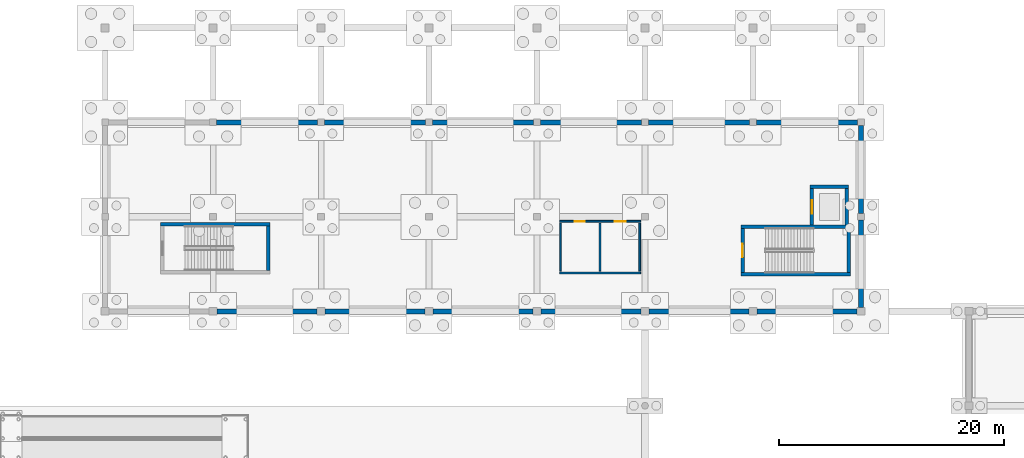
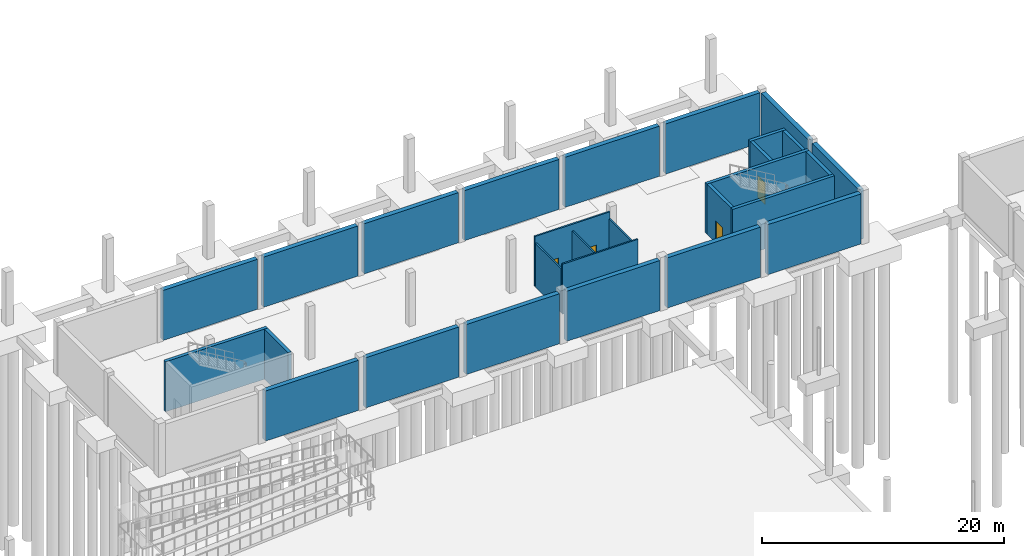
# One storey, part 26 of 41: 28 walls, 4 doors, 4 openings.
"""IFC4 building model written with IfcOpenShell, lengths in metres."""

from ifc_helpers import new_model, si_unit, direction, frame, frame_2d, origin, place, context, subcontext, project, spatial, rectangle, extrude, material, layer, layer_set, type_object, element, fill, save


model = new_model("IFC4")

# Units and contexts
model_context = context("Model", 3, precision=1e-05, world=origin(), true_north=direction((0.0, 1.0)))
body_context = subcontext(model_context, "Body", "Model", "MODEL_VIEW")
ifc_project = project(units=[si_unit("LENGTHUNIT", "METRE"), si_unit("AREAUNIT", "SQUARE_METRE"), si_unit("VOLUMEUNIT", "CUBIC_METRE"), si_unit("PLANEANGLEUNIT", "RADIAN"), si_unit("MASSUNIT", "GRAM", prefix="KILO")], contexts=[model_context])

# Site, building, storey
site_placement = place(None, origin())
site = spatial("IfcSite", under=ifc_project, at=site_placement, CompositionType="ELEMENT")
building_placement = place(site_placement, origin())
building = spatial("IfcBuilding", under=site, at=building_placement, Name="Shalvenor Court Art Gallery", CompositionType="ELEMENT")
storey_placement = place(building_placement, frame((0.0, 0.0, -5.39990234375)))
storey = spatial("IfcBuildingStorey", under=building, at=storey_placement, Name="B01", CompositionType="ELEMENT", Elevation=-5.39990234375)

# Walls
ifc_material_1 = material(Name="Concrete C40/50", Category="concrete")
ifc_layer_1 = layer(ifc_material_1, 0.31005859375, Name="Concrete C40/50")
ifc_layer_set_1 = layer_set([ifc_layer_1], Name="Concrete C40/50")
wall_type_1 = type_object("IfcWallType", Name="CW-W2", PredefinedType="SHEAR", material=ifc_layer_set_1)
wall_1_placement = place(storey_placement, frame((114.1279296875, 104.717041015625, 0.0), z_axis=(0.0, 0.0, 1.0), x_axis=(1.0, 0.0, 0.0)))
element("IfcWall", 1, at=wall_1_placement, inside=storey, type_object=wall_type_1, Name="B01 C5 Stair Core Shear Wall N", PredefinedType="SHEAR", context=body_context, shape_type="SweptSolid", body=[
    extrude(rectangle(XDim=9.744140625, YDim=0.31005859375, at=frame_2d((4.8720703125, 0.0))), origin(), (0.0, 0.0, 1.0), 5.059814453125),
])
wall_2_placement = place(storey_placement, frame((123.717041015625, 104.56201171875, 0.0), z_axis=(0.0, 0.0, 1.0), x_axis=(0.0, -1.0, 0.0)))
element("IfcWall", 2, at=wall_2_placement, inside=storey, type_object=wall_type_1, Name="B01 C5 Stair Core Shear Wall E", PredefinedType="SHEAR", context=body_context, shape_type="SweptSolid", body=[
    extrude(rectangle(XDim=3.924072265625, YDim=0.31005859375, at=frame_2d((1.9619140625, 0.0))), origin(), (0.0, 0.0, 1.0), 5.059814453125),
])
wall_3_placement = place(storey_placement, frame((123.8720703125, 100.48291015625, 0.0), z_axis=(0.0, 0.0, 1.0), x_axis=(-1.0, 0.0, 0.0)))
element("IfcWall", 3, at=wall_3_placement, inside=storey, type_object=wall_type_1, Name="B01 C5 Stair Core Shear Wall S", PredefinedType="SHEAR", context=body_context, shape_type="SweptSolid", body=[
    extrude(rectangle(XDim=9.744140625, YDim=0.31005859375, at=frame_2d((4.8720703125, 0.0))), origin(), (0.0, 0.0, 1.0), 5.059814453125),
])

# Wall, opening, door
wall_4_placement = place(storey_placement, frame((114.282958984375, 100.637939453125, 0.0), z_axis=(0.0, 0.0, 1.0), x_axis=(0.0, 1.0, 0.0)))
wall_4 = element("IfcWall", 4, at=wall_4_placement, inside=storey, type_object=wall_type_1, Name="B01 C5 Stair Core Shear Wall W", PredefinedType="SHEAR", context=body_context, shape_type="SweptSolid", body=[
    extrude(rectangle(XDim=3.924072265625, YDim=0.31005859375, at=frame_2d((1.9619140625, 0.0))), origin(), (0.0, 0.0, 1.0), 5.059814453125),
])
opening_1_placement = place(wall_4_placement, frame((1.362060546875, 0.0, 0.0)))
opening_1 = element("IfcOpeningElement", 5, at=opening_1_placement, cuts=wall_4, Name="Opening FD-01", PredefinedType="OPENING", context=body_context, shape_type="SweptSolid", body=[
    extrude(rectangle(XDim=1.199951171875, YDim=2.199951171875, at=frame_2d((0.60009765625, 1.10009765625))), frame((0.0, 0.1650390625, 0.0), z_axis=(0.0, -1.0, 0.0), x_axis=(1.0, 0.0, 0.0)), (0.0, 0.0, 1.0), 0.330078125),
])
ifc_material_2 = material(Name="Fire-rated steel stair doorset", Category="steel")
door_type_1 = type_object("IfcDoorType", Name="FD-01", OperationType="NOTDEFINED", PredefinedType="DOOR", material=ifc_material_2)
door_1_placement = place(opening_1_placement, origin())
door_1 = element("IfcDoor", 6, at=door_1_placement, inside=storey, type_object=door_type_1, Name="DR-ST-B01-C5 B01 ST-05 Fire Stair Door", OperationType="SINGLE_SWING_RIGHT", OverallHeight=2.199951171875, OverallWidth=1.199951171875, PredefinedType="DOOR", context=body_context, shape_type="SweptSolid", body=[
    extrude(rectangle(XDim=1.199951171875, YDim=2.199951171875, at=frame_2d((0.60009765625, 1.10009765625))), frame((0.0, 0.02490234375, 0.0), z_axis=(0.0, -1.0, 0.0), x_axis=(1.0, 0.0, 0.0)), (0.0, 0.0, 1.0), 0.050048828125),
])
fill(opening_1, door_1)

# Walls
wall_5_placement = place(storey_placement, frame((120.2900390625, 108.2548828125, 0.0), z_axis=(0.0, 0.0, 1.0), x_axis=(1.0, 0.0, 0.0)))
element("IfcWall", 7, at=wall_5_placement, inside=storey, type_object=wall_type_1, Name="B01 PL-03 Lift Shaft Wall N", PredefinedType="SHEAR", context=body_context, shape_type="SweptSolid", body=[
    extrude(rectangle(XDim=3.419921875, YDim=0.31005859375, at=frame_2d((1.7099609375, 0.0))), origin(), (0.0, 0.0, 1.0), 5.059814453125),
])
wall_6_placement = place(storey_placement, frame((123.554931640625, 108.10009765625, 0.0), z_axis=(0.0, 0.0, 1.0), x_axis=(0.0, -1.0, 0.0)))
element("IfcWall", 8, at=wall_6_placement, inside=storey, type_object=wall_type_1, Name="B01 PL-03 Lift Shaft Wall E", PredefinedType="SHEAR", context=body_context, shape_type="SweptSolid", body=[
    extrude(rectangle(XDim=3.22802734375, YDim=0.31005859375, at=frame_2d((1.614013671875, 0.0))), origin(), (0.0, 0.0, 1.0), 5.059814453125),
])

# Wall, opening, door
wall_7_placement = place(storey_placement, frame((120.445068359375, 104.8720703125, 0.0), z_axis=(0.0, 0.0, 1.0), x_axis=(0.0, 1.0, 0.0)))
wall_7 = element("IfcWall", 9, at=wall_7_placement, inside=storey, type_object=wall_type_1, Name="B01 PL-03 Lift Shaft Wall W", PredefinedType="SHEAR", context=body_context, shape_type="SweptSolid", body=[
    extrude(rectangle(XDim=3.22802734375, YDim=0.31005859375, at=frame_2d((1.614013671875, 0.0))), origin(), (0.0, 0.0, 1.0), 5.059814453125),
])
opening_2_placement = place(wall_7_placement, frame((1.013916015625, 0.0, 0.0)))
opening_2 = element("IfcOpeningElement", 10, at=opening_2_placement, cuts=wall_7, Name="Opening LD-02", PredefinedType="OPENING", context=body_context, shape_type="SweptSolid", body=[
    extrude(rectangle(XDim=1.199951171875, YDim=2.199951171875, at=frame_2d((0.60009765625, 1.10009765625))), frame((0.0, 0.1650390625, 0.0), z_axis=(0.0, -1.0, 0.0), x_axis=(1.0, 0.0, 0.0)), (0.0, 0.0, 1.0), 0.330078125),
])
ifc_material_3 = material(Name="Brushed stainless passenger lift sliding landing door", Category="steel")
door_type_2 = type_object("IfcDoorType", Name="LD-02", OperationType="NOTDEFINED", PredefinedType="DOOR", material=ifc_material_3)
door_2_placement = place(opening_2_placement, origin())
door_2 = element("IfcDoor", 11, at=door_2_placement, inside=storey, type_object=door_type_2, Name="DR-LD-B01-PL-03 B01 PL-03 Lift Landing Sliding Door", OperationType="DOUBLE_DOOR_SLIDING", OverallHeight=2.199951171875, OverallWidth=1.199951171875, PredefinedType="DOOR", context=body_context, shape_type="SweptSolid", body=[
    extrude(rectangle(XDim=1.199951171875, YDim=2.199951171875, at=frame_2d((0.60009765625, 1.10009765625))), frame((0.0, 0.02490234375, 0.0), z_axis=(0.0, -1.0, 0.0), x_axis=(1.0, 0.0, 0.0)), (0.0, 0.0, 1.0), 0.050048828125),
])
fill(opening_2, door_2)

# Walls
wall_8_placement = place(storey_placement, frame((62.528076171875, 104.9169921875, 0.0), z_axis=(0.0, 0.0, 1.0), x_axis=(1.0, 0.0, 0.0)))
element("IfcWall", 12, at=wall_8_placement, inside=storey, type_object=wall_type_1, Name="B01 C9 Stair Core Shear Wall N", PredefinedType="SHEAR", context=body_context, shape_type="SweptSolid", body=[
    extrude(rectangle(XDim=9.743896484375, YDim=0.31005859375, at=frame_2d((4.8720703125, 0.0))), origin(), (0.0, 0.0, 1.0), 5.059814453125),
])
wall_9_placement = place(storey_placement, frame((72.116943359375, 104.761962890625, 0.0), z_axis=(0.0, 0.0, 1.0), x_axis=(0.0, -1.0, 0.0)))
element("IfcWall", 13, at=wall_9_placement, inside=storey, type_object=wall_type_1, Name="B01 C9 Stair Core Shear Wall E", PredefinedType="SHEAR", context=body_context, shape_type="SweptSolid", body=[
    extrude(rectangle(XDim=3.924072265625, YDim=0.31005859375, at=frame_2d((1.9619140625, 0.0))), origin(), (0.0, 0.0, 1.0), 5.059814453125),
])

# Wall, openings, doors
ifc_material_4 = material(Name="Moisture-resistant sanitary partition", Category="other")
ifc_layer_2 = layer(ifc_material_4, 0.14990234375, Name="Moisture-resistant sanitary partition")
ifc_layer_set_2 = layer_set([ifc_layer_2], Name="Moisture-resistant sanitary partition")
wall_type_2 = type_object("IfcWallType", Name="PT-03", PredefinedType="PARTITIONING", material=ifc_layer_set_2)
wall_10_placement = place(storey_placement, frame((98.0, 105.199951171875, 0.0), z_axis=(0.0, 0.0, 1.0), x_axis=(1.0, 0.0, 0.0)))
wall_10 = element("IfcWall", 14, at=wall_10_placement, inside=storey, type_object=wall_type_2, Name="B01 C5 Restroom Front Partition", PredefinedType="PARTITIONING", context=body_context, shape_type="SweptSolid", body=[
    extrude(rectangle(XDim=7.199951171875, YDim=0.14990234375, at=frame_2d((3.60009765625, 0.0))), origin(), (0.0, 0.0, 1.0), 5.059814453125),
])
opening_3_placement = place(wall_10_placement, frame((1.35009765625, 0.0, 0.0)))
opening_3 = element("IfcOpeningElement", 15, at=opening_3_placement, cuts=wall_10, Name="Opening ID-07", PredefinedType="OPENING", context=body_context, shape_type="SweptSolid", body=[
    extrude(rectangle(XDim=0.89990234375, YDim=2.10009765625, at=frame_2d((0.449951171875, 1.050048828125))), frame((0.0, 0.0849609375, 0.0), z_axis=(0.0, -1.0, 0.0), x_axis=(1.0, 0.0, 0.0)), (0.0, 0.0, 1.0), 0.169921875),
])
opening_4_placement = place(wall_10_placement, frame((4.925048828125, 0.0, 0.0)))
opening_4 = element("IfcOpeningElement", 16, at=opening_4_placement, cuts=wall_10, Name="Opening ID-06", PredefinedType="OPENING", context=body_context, shape_type="SweptSolid", body=[
    extrude(rectangle(XDim=0.949951171875, YDim=2.14990234375, at=frame_2d((0.47509765625, 1.074951171875))), frame((0.0, 0.0849609375, 0.0), z_axis=(0.0, -1.0, 0.0), x_axis=(1.0, 0.0, 0.0)), (0.0, 0.0, 1.0), 0.169921875),
])
ifc_material_5 = material(Name="Accessible restroom doorset", Category="steel")
door_type_3 = type_object("IfcDoorType", Name="ID-06", OperationType="NOTDEFINED", PredefinedType="DOOR", material=ifc_material_5)
door_3_placement = place(opening_4_placement, origin())
door_3 = element("IfcDoor", 17, at=door_3_placement, inside=storey, type_object=door_type_3, Name="DR-AWC-B01-C5-2 B01 C5 Accessible Restroom Door", OperationType="SINGLE_SWING_RIGHT", OverallHeight=2.14990234375, OverallWidth=0.949951171875, PredefinedType="DOOR", context=body_context, shape_type="SweptSolid", body=[
    extrude(rectangle(XDim=0.949951171875, YDim=2.14990234375, at=frame_2d((0.47509765625, 1.074951171875))), frame((0.0, 0.02490234375, 0.0), z_axis=(0.0, -1.0, 0.0), x_axis=(1.0, 0.0, 0.0)), (0.0, 0.0, 1.0), 0.050048828125),
])
fill(opening_4, door_3)
ifc_material_6 = material(Name="Restroom timber doorset", Category="wood")
door_type_4 = type_object("IfcDoorType", Name="ID-07", OperationType="NOTDEFINED", PredefinedType="DOOR", material=ifc_material_6)
door_4_placement = place(opening_3_placement, origin())
door_4 = element("IfcDoor", 18, at=door_4_placement, inside=storey, type_object=door_type_4, Name="DR-WC-B01-C5-1 B01 C5 Public Restroom Door", OperationType="SINGLE_SWING_LEFT", OverallHeight=2.10009765625, OverallWidth=0.89990234375, PredefinedType="DOOR", context=body_context, shape_type="SweptSolid", body=[
    extrude(rectangle(XDim=0.89990234375, YDim=2.10009765625, at=frame_2d((0.449951171875, 1.050048828125))), frame((0.0, 0.02490234375, 0.0), z_axis=(0.0, -1.0, 0.0), x_axis=(1.0, 0.0, 0.0)), (0.0, 0.0, 1.0), 0.050048828125),
])
fill(opening_3, door_4)

# Walls
wall_11_placement = place(storey_placement, frame((98.0, 100.60009765625, 0.0), z_axis=(0.0, 0.0, 1.0), x_axis=(1.0, 0.0, 0.0)))
element("IfcWall", 19, at=wall_11_placement, inside=storey, type_object=wall_type_2, Name="B01 C5 Restroom Back Partition", PredefinedType="PARTITIONING", context=body_context, shape_type="SweptSolid", body=[
    extrude(rectangle(XDim=7.199951171875, YDim=0.14990234375, at=frame_2d((3.60009765625, 0.0))), origin(), (0.0, 0.0, 1.0), 5.059814453125),
])
for number, where, z_axis, x_axis, name in (
    (20, (98.074951171875, 100.760009765625, 0.0), (0.0, 0.0, 1.0), (0.0, 1.0, 0.0), "B01 C5 Restroom Partition L"),
    (21, (101.60009765625, 100.760009765625, 0.0), (0.0, 0.0, 1.0), (0.0, 1.0, 0.0), "B01 C5 Restroom Partition M"),
    (22, (105.125, 100.760009765625, 0.0), (0.0, 0.0, 1.0), (0.0, 1.0, 0.0), "B01 C5 Restroom Partition R"),
):
    element("IfcWall", number, at=place(storey_placement, frame(where, z_axis=z_axis, x_axis=x_axis)), inside=storey, type_object=wall_type_2, Name=name, PredefinedType="PARTITIONING", context=body_context, shape_type="SweptSolid", body=[
        extrude(rectangle(XDim=4.280029296875, YDim=0.14990234375, at=frame_2d((2.14013671875, 0.0))), origin(), (0.0, 0.0, 1.0), 4.434814453125),
    ])
ifc_material_7 = material(Name="Concrete C40/50", Category="concrete")
ifc_layer_3 = layer(ifc_material_7, 0.43994140625, Name="Concrete C40/50")
ifc_layer_set_3 = layer_set([ifc_layer_3], Name="Concrete C40/50")
wall_type_3 = type_object("IfcWallType", Name="RW-02", PredefinedType="USERDEFINED", material=ifc_layer_set_3)
for number, where, z_axis, x_axis, name in (
    (23, (67.5, 114.0, 0.0), (0.0, 0.0, 1.0), (1.0, 0.0, 0.0), "B01 Retaining Wall WL-B01-0104"),
    (24, (77.10009765625, 114.0, 0.0), (0.0, 0.0, 1.0), (1.0, 0.0, 0.0), "B01 Retaining Wall WL-B01-0105"),
    (25, (86.699951171875, 114.0, 0.0), (0.0, 0.0, 1.0), (1.0, 0.0, 0.0), "B01 Retaining Wall WL-B01-0106"),
    (26, (96.300048828125, 114.0, 0.0), (0.0, 0.0, 1.0), (1.0, 0.0, 0.0), "B01 Retaining Wall WL-B01-0107"),
    (27, (105.89990234375, 114.0, 0.0), (0.0, 0.0, 1.0), (1.0, 0.0, 0.0), "B01 Retaining Wall WL-B01-0108"),
    (28, (115.5, 114.0, 0.0), (0.0, 0.0, 1.0), (1.0, 0.0, 0.0), "B01 Retaining Wall WL-B01-0109"),
):
    element("IfcWall", number, at=place(storey_placement, frame(where, z_axis=z_axis, x_axis=x_axis)), inside=storey, type_object=wall_type_3, Name=name, ObjectType="RETAINING WALL", PredefinedType="USERDEFINED", context=body_context, shape_type="SweptSolid", body=[
        extrude(rectangle(XDim=9.0, YDim=0.43994140625, at=frame_2d((4.5, 0.0))), origin(), (0.0, 0.0, 1.0), 5.059814453125),
    ])
wall_12_placement = place(storey_placement, frame((124.800048828125, 113.699951171875, 0.0), z_axis=(0.0, 0.0, 1.0), x_axis=(0.0, -1.0, 0.0)))
element("IfcWall", 29, at=wall_12_placement, inside=storey, type_object=wall_type_3, Name="B01 Retaining Wall WL-B01-0110", ObjectType="RETAINING WALL", PredefinedType="USERDEFINED", context=body_context, shape_type="SweptSolid", body=[
    extrude(rectangle(XDim=7.800048828125, YDim=0.43994140625, at=frame_2d((3.89990234375, 0.0))), origin(), (0.0, 0.0, 1.0), 5.059814453125),
])
wall_13_placement = place(storey_placement, frame((124.800048828125, 105.300048828125, 0.0), z_axis=(0.0, 0.0, 1.0), x_axis=(0.0, -1.0, 0.0)))
element("IfcWall", 30, at=wall_13_placement, inside=storey, type_object=wall_type_3, Name="B01 Retaining Wall WL-B01-0111", ObjectType="RETAINING WALL", PredefinedType="USERDEFINED", context=body_context, shape_type="SweptSolid", body=[
    extrude(rectangle(XDim=7.75, YDim=0.43994140625, at=frame_2d((3.875, 0.0))), origin(), (0.0, 0.0, 1.0), 5.059814453125),
])
wall_14_placement = place(storey_placement, frame((124.449951171875, 97.199951171875, 0.0), z_axis=(0.0, 0.0, 1.0), x_axis=(-1.0, 0.0, 0.0)))
element("IfcWall", 31, at=wall_14_placement, inside=storey, type_object=wall_type_3, Name="B01 Retaining Wall WL-B01-0112", ObjectType="RETAINING WALL", PredefinedType="USERDEFINED", context=body_context, shape_type="SweptSolid", body=[
    extrude(rectangle(XDim=8.89990234375, YDim=0.43994140625, at=frame_2d((4.449951171875, 0.0))), origin(), (0.0, 0.0, 1.0), 5.059814453125),
])
wall_15_placement = place(storey_placement, frame((114.85009765625, 97.199951171875, 0.0), z_axis=(0.0, 0.0, 1.0), x_axis=(-1.0, 0.0, 0.0)))
element("IfcWall", 32, at=wall_15_placement, inside=storey, type_object=wall_type_3, Name="B01 Retaining Wall WL-B01-0113", ObjectType="RETAINING WALL", PredefinedType="USERDEFINED", context=body_context, shape_type="SweptSolid", body=[
    extrude(rectangle(XDim=8.900146484375, YDim=0.43994140625, at=frame_2d((4.4501953125, 0.0))), origin(), (0.0, 0.0, 1.0), 5.059814453125),
])
for number, where, z_axis, x_axis, name in (
    (33, (105.25, 97.199951171875, 0.0), (0.0, 0.0, 1.0), (-1.0, 0.0, 0.0), "B01 Retaining Wall WL-B01-0114"),
    (34, (95.64990234375, 97.199951171875, 0.0), (0.0, 0.0, 1.0), (-1.0, 0.0, 0.0), "B01 Retaining Wall WL-B01-0115"),
):
    element("IfcWall", number, at=place(storey_placement, frame(where, z_axis=z_axis, x_axis=x_axis)), inside=storey, type_object=wall_type_3, Name=name, ObjectType="RETAINING WALL", PredefinedType="USERDEFINED", context=body_context, shape_type="SweptSolid", body=[
        extrude(rectangle(XDim=8.89990234375, YDim=0.43994140625, at=frame_2d((4.449951171875, 0.0))), origin(), (0.0, 0.0, 1.0), 5.059814453125),
    ])
wall_16_placement = place(storey_placement, frame((86.050048828125, 97.199951171875, 0.0), z_axis=(0.0, 0.0, 1.0), x_axis=(-1.0, 0.0, 0.0)))
element("IfcWall", 35, at=wall_16_placement, inside=storey, type_object=wall_type_3, Name="B01 Retaining Wall WL-B01-0116", ObjectType="RETAINING WALL", PredefinedType="USERDEFINED", context=body_context, shape_type="SweptSolid", body=[
    extrude(rectangle(XDim=8.900146484375, YDim=0.43994140625, at=frame_2d((4.4501953125, 0.0))), origin(), (0.0, 0.0, 1.0), 5.059814453125),
])
wall_17_placement = place(storey_placement, frame((76.449951171875, 97.199951171875, 0.0), z_axis=(0.0, 0.0, 1.0), x_axis=(-1.0, 0.0, 0.0)))
element("IfcWall", 36, at=wall_17_placement, inside=storey, type_object=wall_type_3, Name="B01 Retaining Wall WL-B01-0117", ObjectType="RETAINING WALL", PredefinedType="USERDEFINED", context=body_context, shape_type="SweptSolid", body=[
    extrude(rectangle(XDim=8.89990234375, YDim=0.43994140625, at=frame_2d((4.449951171875, 0.0))), origin(), (0.0, 0.0, 1.0), 5.059814453125),
])

save(model, "model.ifc")
